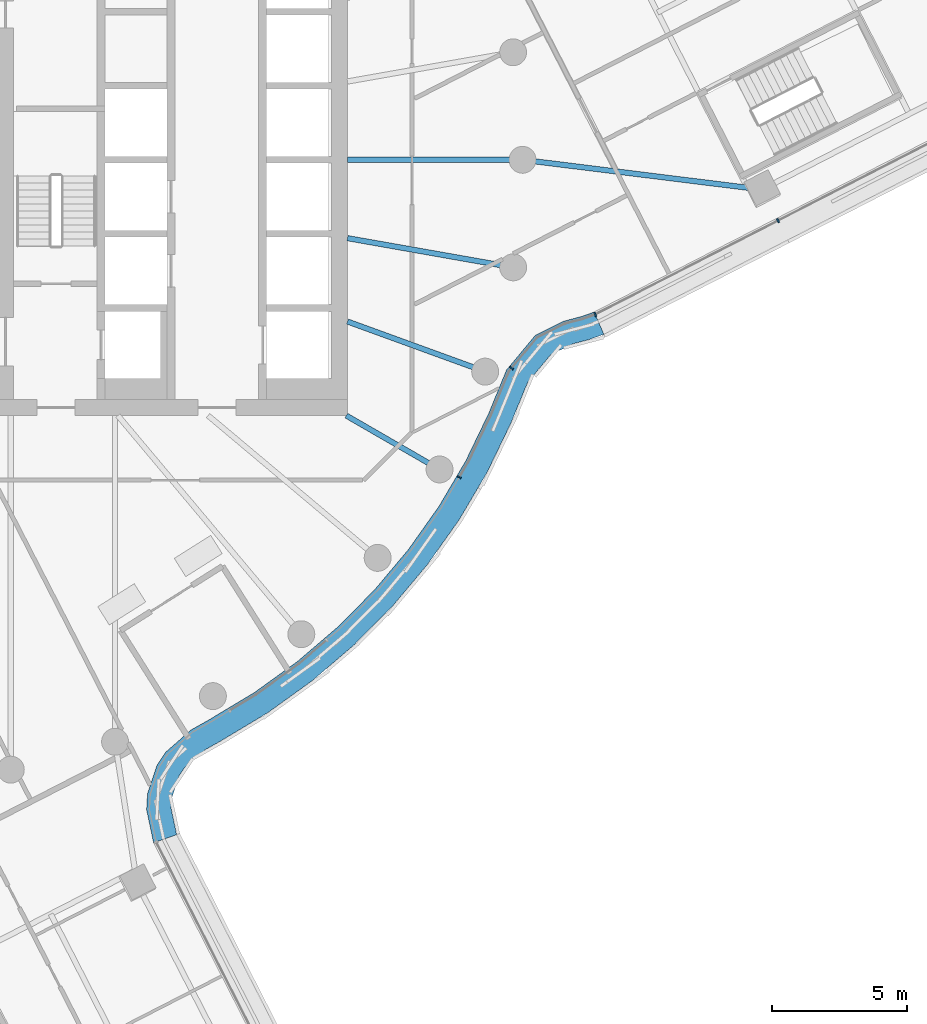
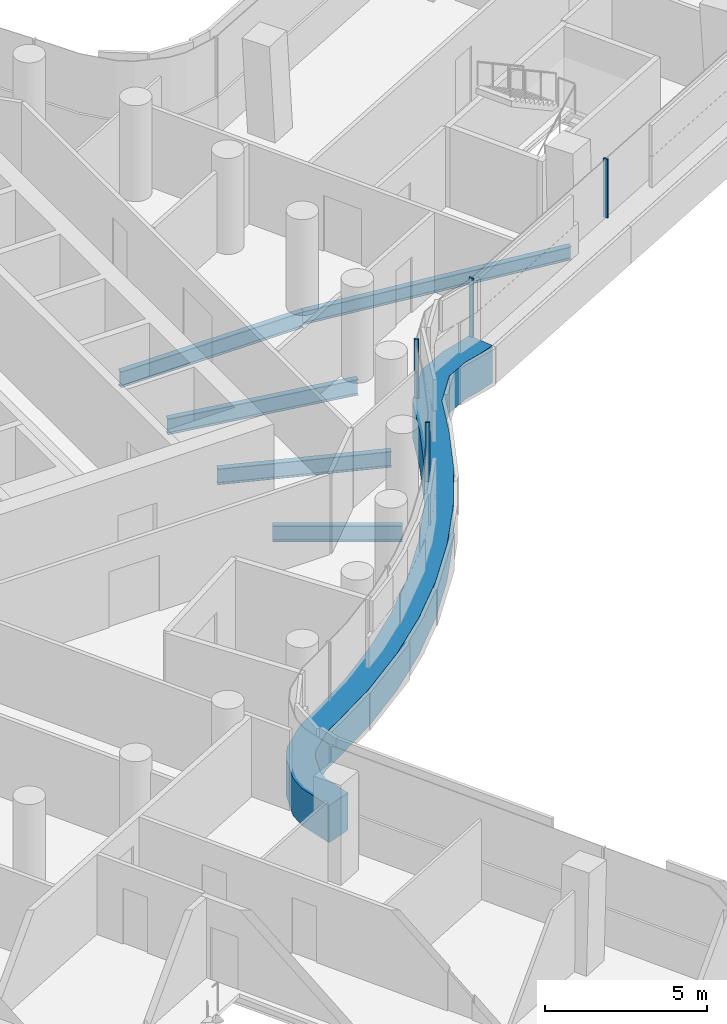
# One storey, part 11 of 37: 5 beams, 5 members, 2 elements without a shape of their own.
"""IFC4 building model written with IfcOpenShell, lengths in metres."""

from ifc_helpers import new_model, si_unit, direction, frame, origin, origin_2d, place, context, subcontext, project, spatial, polyline, rectangle, i_section, outline, extrude, material, layer, layer_set, material_profile, profile_set, type_object, element, aggregate, save


model = new_model("IFC4")

# Units and contexts
model_context = context("Model", 3, precision=1e-05, world=origin(), true_north=direction((0.0, 1.0)))
body_context = subcontext(model_context, "Body", "Model", "MODEL_VIEW")
ifc_project = project(units=[si_unit("LENGTHUNIT", "METRE"), si_unit("AREAUNIT", "SQUARE_METRE"), si_unit("VOLUMEUNIT", "CUBIC_METRE"), si_unit("PLANEANGLEUNIT", "RADIAN"), si_unit("MASSUNIT", "GRAM", prefix="KILO")], contexts=[model_context])

# Site, building, storey
site_placement = place(None, origin())
site = spatial("IfcSite", under=ifc_project, at=site_placement, CompositionType="ELEMENT")
building_placement = place(site_placement, origin())
building = spatial("IfcBuilding", under=site, at=building_placement, Name="Tamarind Cross Interchange Tower", CompositionType="ELEMENT")
storey_placement = place(building_placement, frame((0.0, 0.0, 133.0)))
storey = spatial("IfcBuildingStorey", under=building, at=storey_placement, Name="L32", CompositionType="ELEMENT", Elevation=133.0)

# Beams
ifc_material_1 = material(Name="Steel Q355B", Category="steel")
ifc_material_profile_1 = material_profile(ifc_material_1, i_section(OverallWidth=0.198974609375, OverallDepth=0.49609375, WebThickness=0.009033203125, FlangeThickness=0.013916015625, FilletRadius=0.012939453125, at=origin_2d()), Name="HN 496x199x9x14")
ifc_profile_set_1 = profile_set([ifc_material_profile_1], Name="Steel Q355B")
beam_type_1 = type_object("IfcBeamType", Name="Composite beam HN 496x199x9x14 Q355B", PredefinedType="BEAM", material=ifc_profile_set_1)
beam_1_placement = place(storey_placement, frame((31.8955078125, -1.10400390625, -0.387939453125), z_axis=(-0.992386439651, 0.123163121092, 0.0), x_axis=(-0.123163121092, -0.992386439651, 0.0)))
element("IfcBeam", 1, at=beam_1_placement, inside=storey, type_object=beam_type_1, Name="Beam E-linkem", PredefinedType="BEAM", context=body_context, shape_type="SweptSolid", body=[
    extrude(i_section(OverallWidth=0.198974609375, OverallDepth=0.49609375, WebThickness=0.009033203125, FlangeThickness=0.013916015625, FilletRadius=0.012939453125, at=origin_2d()), origin(), (0.0, 0.0, 1.0), 8.9638671875),
])
ifc_material_profile_2 = material_profile(ifc_material_1, i_section(OverallWidth=0.198974609375, OverallDepth=0.595947265625, WebThickness=0.010009765625, FlangeThickness=0.014892578125, FilletRadius=0.012939453125, at=origin_2d()), Name="HN 596x199x10x15")
ifc_profile_set_2 = profile_set([ifc_material_profile_2], Name="Steel Q355B")
beam_type_2 = type_object("IfcBeamType", Name="Composite beam HN 596x199x10x15 Q355B", PredefinedType="BEAM", material=ifc_profile_set_2)
beam_2_placement = place(storey_placement, frame((23.0, 0.0, -0.43798828125), z_axis=(-1.0, 0.0, 0.0), x_axis=(0.0, -1.0, 0.0)))
element("IfcBeam", 2, at=beam_2_placement, inside=storey, type_object=beam_type_2, Name="Beam HH00", PredefinedType="BEAM", context=body_context, shape_type="SweptSolid", body=[
    extrude(i_section(OverallWidth=0.198974609375, OverallDepth=0.595947265625, WebThickness=0.010009765625, FlangeThickness=0.014892578125, FilletRadius=0.012939453125, at=origin_2d()), origin(), (0.0, 0.0, 1.0), 6.5),
])
beam_3_placement = place(storey_placement, frame((19.918701171875, -11.5, -0.43798828125), z_axis=(-0.866026010844, 0.49999894854, 0.0), x_axis=(-0.49999894854, -0.866026010844, 0.0)))
element("IfcBeam", 3, at=beam_3_placement, inside=storey, type_object=beam_type_2, Name="Beam HH33", PredefinedType="BEAM", context=body_context, shape_type="SweptSolid", body=[
    extrude(i_section(OverallWidth=0.198974609375, OverallDepth=0.595947265625, WebThickness=0.010009765625, FlangeThickness=0.014892578125, FilletRadius=0.012939453125, at=origin_2d()), origin(), (0.0, 0.0, 1.0), 4.0),
])
beam_4_placement = place(storey_placement, frame((21.613037109375, -7.866455078125, -0.43798828125), z_axis=(-0.939701685589, 0.341995236956, 0.0), x_axis=(-0.341995236956, -0.939701685589, 0.0)))
element("IfcBeam", 4, at=beam_4_placement, inside=storey, type_object=beam_type_2, Name="Beam HH34", PredefinedType="BEAM", context=body_context, shape_type="SweptSolid", body=[
    extrude(i_section(OverallWidth=0.198974609375, OverallDepth=0.595947265625, WebThickness=0.010009765625, FlangeThickness=0.014892578125, FilletRadius=0.012939453125, at=origin_2d()), origin(), (0.0, 0.0, 1.0), 5.441162109375),
])
beam_5_placement = place(storey_placement, frame((22.650634765625, -3.993896484375, -0.43798828125), z_axis=(-0.984809127561, 0.173640382036, 0.0), x_axis=(-0.173640382036, -0.984809127561, 0.0)))
element("IfcBeam", 5, at=beam_5_placement, inside=storey, type_object=beam_type_2, Name="Beam HH35", PredefinedType="BEAM", context=body_context, shape_type="SweptSolid", body=[
    extrude(i_section(OverallWidth=0.198974609375, OverallDepth=0.595947265625, WebThickness=0.010009765625, FlangeThickness=0.014892578125, FilletRadius=0.012939453125, at=origin_2d()), origin(), (0.0, 0.0, 1.0), 6.24560546875),
])

# Curtain wall, member
ifc_material_2 = material(Name="Aluminium 6063-T6", Category="aluminium")
ifc_layer_1 = layer(ifc_material_2, 0.14990234375)
ifc_layer_set_1 = layer_set([ifc_layer_1], Name="Aluminium 6063-T6")
curtain_wall_type_1 = type_object("IfcCurtainWallType", Name="Winter garden and crown curtain wall", PredefinedType="NOTDEFINED", material=ifc_layer_set_1)
curtain_wall_1_placement = place(storey_placement, origin())
curtain_wall_1 = element("IfcCurtainWall", 6, at=curtain_wall_1_placement, inside=storey, type_object=curtain_wall_type_1, Name="CWS-L32-06", PredefinedType="NOTDEFINED")
ifc_material_3 = material(Name="Aluminium and insulated spandrel panel", Category="aluminium")
member_type_1 = type_object("IfcMemberType", Name="Floor-edge blade transom", PredefinedType="USERDEFINED", material=ifc_material_3)
member_1_placement = place(storey_placement, origin())
member_1 = element("IfcMember", 7, at=member_1_placement, type_object=member_type_1, Name="CWT-L32-06", ObjectType="TRANSOM", PredefinedType="USERDEFINED", context=body_context, shape_type="SweptSolid", body=[
    extrude(outline(polyline([(9.29833984375, -25.368408203125), (9.03857421875, -24.1435546875), (9.07177734375, -23.550048828125), (9.424560546875, -22.48876953125), (9.75341796875, -21.993408203125), (10.6884765625, -21.173583984375), (11.360595703125, -20.795166015625), (13.045654296875, -19.78125), (14.634521484375, -18.636474609375), (16.12353515625, -17.3642578125), (17.50244140625, -15.973388671875), (18.76171875, -14.4736328125), (19.892822265625, -12.874755859375), (20.88818359375, -11.188232421875), (21.7421875, -9.422119140625), (22.406982421875, -7.802734375), (23.47705078125, -6.515869140625), (24.54150390625, -5.989990234375), (25.200927734375, -5.816162109375), (25.662109375, -5.6513671875), (26.0205078125, -6.47900390625), (25.467529296875, -6.6767578125), (24.85888671875, -6.837158203125), (24.047119140625, -7.23828125), (23.18701171875, -8.272216796875), (22.564208984375, -9.7890625), (21.68212890625, -11.613525390625), (20.64892578125, -13.3642578125), (19.474853515625, -15.023681640625), (18.167724609375, -16.580810546875), (16.736572265625, -18.0244140625), (15.19091796875, -19.344970703125), (13.54150390625, -20.533203125), (11.8134765625, -21.572998046875), (11.21142578125, -21.912109375), (10.436767578125, -22.591064453125), (10.24072265625, -22.886474609375), (9.963623046875, -23.72021484375), (9.94384765625, -24.07421875), (10.154052734375, -25.065185546875), (9.29833984375, -25.368408203125)])), origin(), (0.0, 0.0, 1.0), 1.39990234375),
])

# Curtain wall, members
ifc_layer_2 = layer(ifc_material_2, 0.159912109375)
ifc_layer_set_2 = layer_set([ifc_layer_2], Name="Aluminium 6063-T6")
curtain_wall_type_2 = type_object("IfcCurtainWallType", Name="Office curtain wall, 9.0 m bays", PredefinedType="NOTDEFINED", material=ifc_layer_set_2)
curtain_wall_2_placement = place(storey_placement, origin())
curtain_wall_2 = element("IfcCurtainWall", 8, at=curtain_wall_2_placement, inside=storey, type_object=curtain_wall_type_2, Name="CWS-L32-07", PredefinedType="NOTDEFINED")
ifc_material_profile_3 = material_profile(ifc_material_2, rectangle(XDim=0.06005859375, YDim=0.159912109375, at=origin_2d()), Name="Mullion CW1")
ifc_profile_set_3 = profile_set([ifc_material_profile_3], Name="Aluminium 6063-T6")
member_type_2 = type_object("IfcMemberType", Name="Mullion CW1", PredefinedType="MULLION", material=ifc_profile_set_3)
member_2_placement = place(storey_placement, frame((25.701904296875, -5.743408203125, 1.39990234375), z_axis=(0.0, 0.0, 1.0), x_axis=(0.9176520083, 0.397384941414, 0.0)))
member_2 = element("IfcMember", 9, at=member_2_placement, type_object=member_type_2, Name="CWM-L32-07-00", PredefinedType="MULLION", context=body_context, shape_type="SweptSolid", body=[
    extrude(rectangle(XDim=0.06005859375, YDim=0.159912109375, at=origin_2d()), origin(), (0.0, 0.0, 1.0), 2.210205078125),
])
member_3_placement = place(storey_placement, frame((32.48974609375, -2.26025390625, 1.39990234375), z_axis=(0.0, 0.0, 1.0), x_axis=(0.889697026233, 0.456551422638, 0.0)))
member_3 = element("IfcMember", 10, at=member_3_placement, type_object=member_type_2, Name="CWM-L32-07-01", PredefinedType="MULLION", context=body_context, shape_type="SweptSolid", body=[
    extrude(rectangle(XDim=0.06005859375, YDim=0.159912109375, at=origin_2d()), origin(), (0.0, 0.0, 1.0), 2.210205078125),
])
aggregate(curtain_wall_2, [member_2, member_3])

# Member
ifc_material_profile_4 = material_profile(ifc_material_2, rectangle(XDim=0.06005859375, YDim=0.14990234375, at=origin_2d()), Name="Mullion CW6")
ifc_profile_set_4 = profile_set([ifc_material_profile_4], Name="Aluminium 6063-T6")
member_type_3 = type_object("IfcMemberType", Name="Mullion CW6", PredefinedType="MULLION", material=ifc_profile_set_4)
member_4_placement = place(storey_placement, frame((20.65234375, -11.784423828125, 1.39990234375), z_axis=(0.0, 0.0, 1.0), x_axis=(0.508183308752, 0.861248933065, 0.0)))
member_4 = element("IfcMember", 11, at=member_4_placement, type_object=member_type_3, Name="CWM-L32-06-03", PredefinedType="MULLION", context=body_context, shape_type="SweptSolid", body=[
    extrude(rectangle(XDim=0.06005859375, YDim=0.14990234375, at=origin_2d()), origin(), (0.0, 0.0, 1.0), 2.210205078125),
])

member_5_placement = place(storey_placement, frame((22.592041015625, -7.736572265625, 1.39990234375), z_axis=(0.0, 0.0, 1.0), x_axis=(0.639426054821, 0.768852599928, 0.0)))
member_5 = element("IfcMember", 12, at=member_5_placement, type_object=member_type_3, Name="CWM-L32-06-04", PredefinedType="MULLION", context=body_context, shape_type="SweptSolid", body=[
    extrude(rectangle(XDim=0.06005859375, YDim=0.14990234375, at=origin_2d()), origin(), (0.0, 0.0, 1.0), 2.210205078125),
])

aggregate(curtain_wall_1, [member_4, member_5, member_1])

save(model, "model.ifc")
